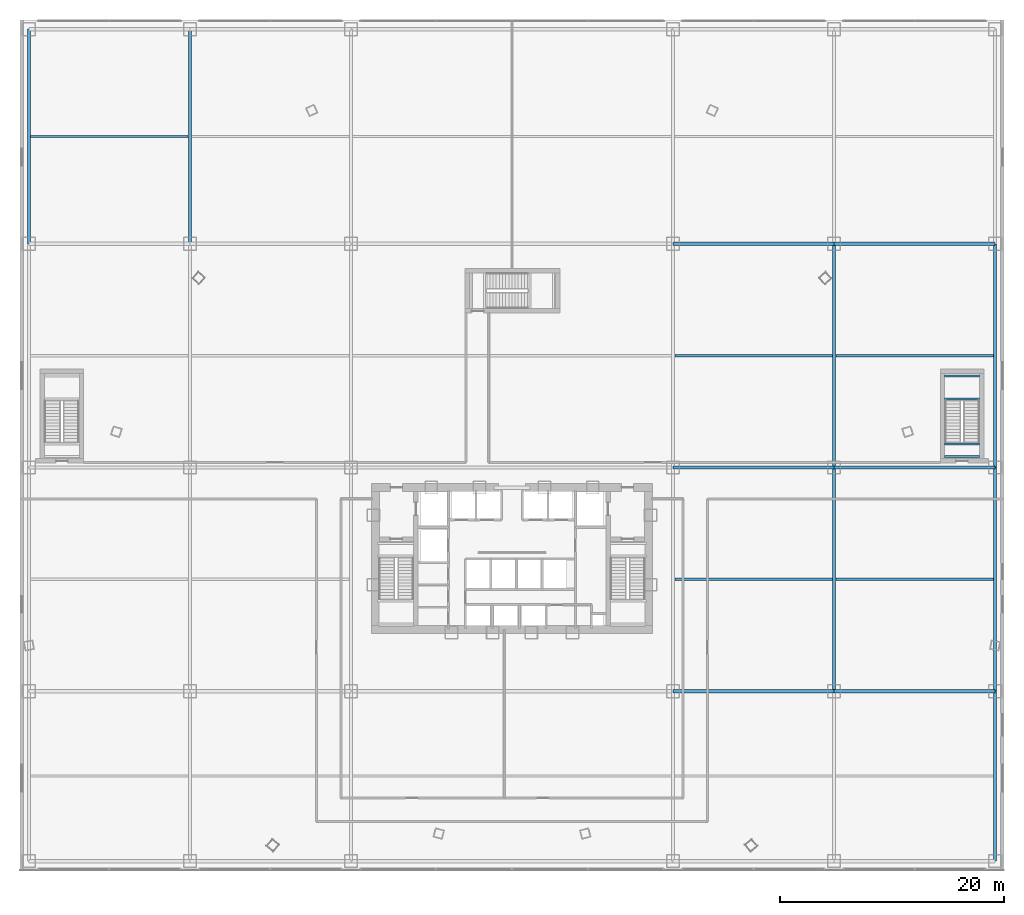
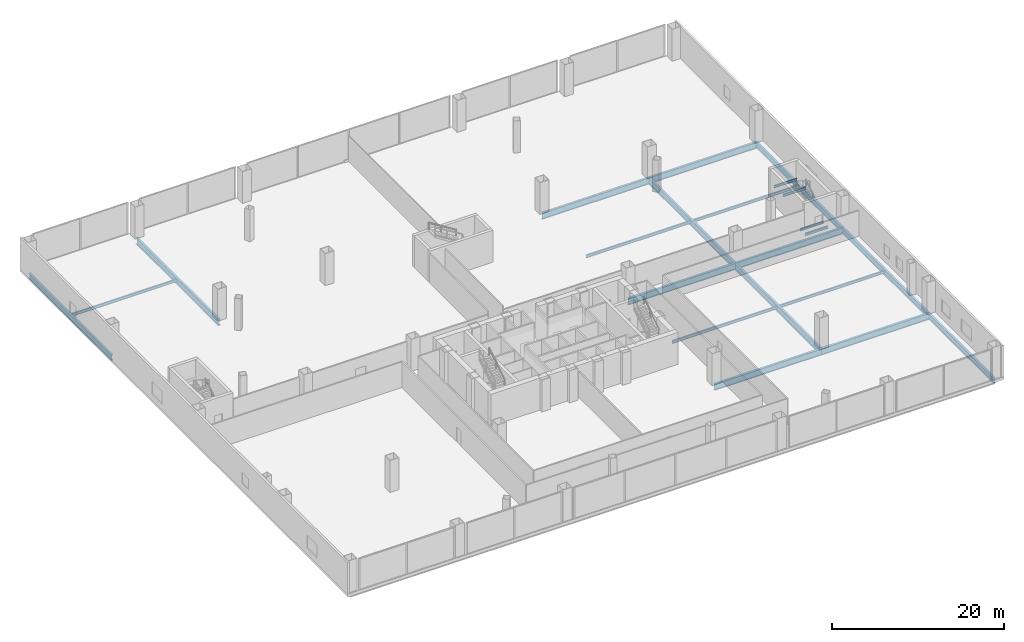
# One storey, part 17 of 40: 22 beams.
"""IFC4 building model written with IfcOpenShell, lengths in metres."""

from ifc_helpers import new_model, si_unit, direction, frame, origin, origin_2d, place, context, subcontext, project, spatial, i_section, extrude, source, transform, mapped, material, material_profile, profile_set, type_object, element, save


model = new_model("IFC4")

# Units and contexts
model_context = context("Model", 3, precision=1e-05, world=origin(), true_north=direction((0.0, 1.0)))
body_context = subcontext(model_context, "Body", "Model", "MODEL_VIEW")
ifc_project = project(units=[si_unit("LENGTHUNIT", "METRE"), si_unit("AREAUNIT", "SQUARE_METRE"), si_unit("VOLUMEUNIT", "CUBIC_METRE"), si_unit("PLANEANGLEUNIT", "RADIAN"), si_unit("MASSUNIT", "GRAM", prefix="KILO"), si_unit("THERMODYNAMICTEMPERATUREUNIT", "KELVIN"), si_unit("POWERUNIT", "WATT")], contexts=[model_context])

# Site, building, storey
site_placement = place(None, origin())
site = spatial("IfcSite", under=ifc_project, at=site_placement, CompositionType="ELEMENT")
building_placement = place(site_placement, origin())
building = spatial("IfcBuilding", under=site, at=building_placement, Name="Yunzhuo Pagoda Commons", CompositionType="ELEMENT")
storey_placement = place(building_placement, frame((0.0, 0.0, 14.39990234375)))
storey = spatial("IfcBuildingStorey", under=building, at=storey_placement, Name="L04", CompositionType="ELEMENT", Elevation=14.39990234375)

# Beams
ifc_material = material(Name="Structural steel Q355B", Category="steel")
ifc_material_profile_1 = material_profile(ifc_material, i_section(OverallWidth=0.175048828125, OverallDepth=0.35009765625, WebThickness=0.007080078125, FlangeThickness=0.010986328125, at=origin_2d()), Name="Structural steel Q355B")
ifc_profile_set_1 = profile_set([ifc_material_profile_1], Name="Structural steel Q355B")
beam_type_1 = type_object("IfcBeamType", Name="B-JS2 Joist HN 350x175x7x11", PredefinedType="JOIST", material=ifc_profile_set_1)
shared_shape_1 = source(origin(), body_context, "Body", "SweptSolid", [
    extrude(i_section(OverallWidth=0.175048828125, OverallDepth=0.35009765625, WebThickness=0.007080078125, FlangeThickness=0.010986328125, at=origin_2d()), origin(), (0.0, 0.0, 1.0), 3.10009765625),
])
for number, where, z_axis, x_axis, name in (
    (1, (86.699951171875, 48.139892578125, 2.025146484375), (1.0, 0.0, 0.0), (0.0, 1.0, 0.0), "L04 PS4 landing support beam 6A"),
    (2, (86.699951171875, 50.199951171875, 2.025146484375), (1.0, 0.0, 0.0), (0.0, 1.0, 0.0), "L04 PS4 landing support beam 6B"),
    (3, (86.699951171875, 43.0, -0.375), (1.0, 0.0, 0.0), (0.0, 1.0, 0.0), "L04 PS4 landing support beam 14A"),
    (4, (86.699951171875, 44.10009765625, -0.375), (1.0, 0.0, 0.0), (0.0, 1.0, 0.0), "L04 PS4 landing support beam 14B"),
):
    element("IfcBeam", number, at=place(storey_placement, frame(where, z_axis=z_axis, x_axis=x_axis)), inside=storey, type_object=beam_type_1, Name=name, PredefinedType="JOIST", context=body_context, shape_type="MappedRepresentation", body=[
        mapped(shared_shape_1, transform((0.0, 0.0, 0.0), scale=1.0)),
    ])
ifc_material_profile_2 = material_profile(ifc_material, i_section(OverallWidth=0.300048828125, OverallDepth=0.89990234375, WebThickness=0.01611328125, FlangeThickness=0.028076171875, at=origin_2d()), Name="Structural steel Q355B")
ifc_profile_set_2 = profile_set([ifc_material_profile_2], Name="Structural steel Q355B")
beam_type_2 = type_object("IfcBeamType", Name="B-PD1 Beam HN 900x300x16x28", PredefinedType="BEAM", material=ifc_profile_set_2)
shared_shape_2 = source(origin(), body_context, "Body", "SweptSolid", [
    extrude(i_section(OverallWidth=0.300048828125, OverallDepth=0.89990234375, WebThickness=0.01611328125, FlangeThickness=0.028076171875, at=origin_2d()), origin(), (0.0, 0.0, 1.0), 14.39990234375),
])
for number, where, z_axis, x_axis, name in (
    (5, (76.800048828125, 22.0, -0.72998046875), (1.0, 0.0, 0.0), (0.0, 1.0, 0.0), "L04 podium girder EW 2.5"),
    (6, (76.800048828125, 42.0, -0.72998046875), (1.0, 0.0, 0.0), (0.0, 1.0, 0.0), "L04 podium girder EW 3.5"),
    (7, (76.800048828125, 62.0, -0.72998046875), (1.0, 0.0, 0.0), (0.0, 1.0, 0.0), "L04 podium girder EW 4.5"),
):
    element("IfcBeam", number, at=place(storey_placement, frame(where, z_axis=z_axis, x_axis=x_axis)), inside=storey, type_object=beam_type_2, Name=name, PredefinedType="BEAM", context=body_context, shape_type="MappedRepresentation", body=[
        mapped(shared_shape_2, transform((0.0, 0.0, 0.0), scale=1.0)),
    ])
shared_shape_3 = source(origin(), body_context, "Body", "SweptSolid", [
    extrude(i_section(OverallWidth=0.300048828125, OverallDepth=0.89990234375, WebThickness=0.01611328125, FlangeThickness=0.028076171875, at=origin_2d()), origin(), (0.0, 0.0, 1.0), 14.400146484375),
])
for number, where, z_axis, x_axis, name in (
    (8, (62.39990234375, 22.0, -0.72998046875), (1.0, 0.0, 0.0), (0.0, 1.0, 0.0), "L04 podium girder EW 2.4"),
    (9, (62.39990234375, 42.0, -0.72998046875), (1.0, 0.0, 0.0), (0.0, 1.0, 0.0), "L04 podium girder EW 3.4"),
    (10, (62.39990234375, 62.0, -0.72998046875), (1.0, 0.0, 0.0), (0.0, 1.0, 0.0), "L04 podium girder EW 4.4"),
):
    element("IfcBeam", number, at=place(storey_placement, frame(where, z_axis=z_axis, x_axis=x_axis)), inside=storey, type_object=beam_type_2, Name=name, PredefinedType="BEAM", context=body_context, shape_type="MappedRepresentation", body=[
        mapped(shared_shape_3, transform((0.0, 0.0, 0.0), scale=1.0)),
    ])
ifc_material_profile_3 = material_profile(ifc_material, i_section(OverallWidth=0.300048828125, OverallDepth=0.800048828125, WebThickness=0.013916015625, FlangeThickness=0.02587890625, at=origin_2d()), Name="Structural steel Q355B")
ifc_profile_set_3 = profile_set([ifc_material_profile_3], Name="Structural steel Q355B")
beam_type_3 = type_object("IfcBeamType", Name="B-PD2 Beam HN 800x300x14x26", PredefinedType="BEAM", material=ifc_profile_set_3)
shared_shape_4 = source(origin(), body_context, "Body", "SweptSolid", [
    extrude(i_section(OverallWidth=0.300048828125, OverallDepth=0.800048828125, WebThickness=0.013916015625, FlangeThickness=0.02587890625, at=origin_2d()), origin(), (0.0, 0.0, 1.0), 15.199951171875),
])
beam_1_placement = place(storey_placement, frame((91.199951171875, 6.800048828125, -0.679931640625), z_axis=(0.0, 1.0, 0.0), x_axis=(-1.0, 0.0, 0.0)))
element("IfcBeam", 11, at=beam_1_placement, inside=storey, type_object=beam_type_3, Name="L04 podium girder NS 6.1", PredefinedType="BEAM", context=body_context, shape_type="MappedRepresentation", body=[
    mapped(shared_shape_4, transform((0.0, 0.0, 0.0), scale=1.0)),
])
ifc_material_profile_4 = material_profile(ifc_material, i_section(OverallWidth=0.199951171875, OverallDepth=0.39990234375, WebThickness=0.008056640625, FlangeThickness=0.012939453125, at=origin_2d()), Name="Structural steel Q355B")
ifc_profile_set_4 = profile_set([ifc_material_profile_4], Name="Structural steel Q355B")
beam_type_4 = type_object("IfcBeamType", Name="B-JS1 Joist HN 400x200x8x13", PredefinedType="JOIST", material=ifc_profile_set_4)
shared_shape_5 = source(origin(), body_context, "Body", "SweptSolid", [
    extrude(i_section(OverallWidth=0.199951171875, OverallDepth=0.39990234375, WebThickness=0.008056640625, FlangeThickness=0.012939453125, at=origin_2d()), origin(), (0.0, 0.0, 1.0), 14.08984375),
])
for number, where, z_axis, x_axis, name in (
    (12, (4.955078125, 71.60009765625, -0.47998046875), (1.0, 0.0, 0.0), (0.0, 1.0, 0.0), "L04 podium composite joist 1.4"),
    (13, (76.955078125, 32.0, -0.47998046875), (1.0, 0.0, 0.0), (0.0, 1.0, 0.0), "L04 podium composite joist 5.2"),
    (14, (76.955078125, 52.0, -0.47998046875), (1.0, 0.0, 0.0), (0.0, 1.0, 0.0), "L04 podium composite joist 5.3"),
):
    element("IfcBeam", number, at=place(storey_placement, frame(where, z_axis=z_axis, x_axis=x_axis)), inside=storey, type_object=beam_type_4, Name=name, PredefinedType="JOIST", context=body_context, shape_type="MappedRepresentation", body=[
        mapped(shared_shape_5, transform((0.0, 0.0, 0.0), scale=1.0)),
    ])
shared_shape_6 = source(origin(), body_context, "Body", "SweptSolid", [
    extrude(i_section(OverallWidth=0.300048828125, OverallDepth=0.800048828125, WebThickness=0.013916015625, FlangeThickness=0.02587890625, at=origin_2d()), origin(), (0.0, 0.0, 1.0), 20.0),
])
for number, where, z_axis, x_axis, name in (
    (15, (91.199951171875, 22.0, -0.679931640625), (0.0, 1.0, 0.0), (-1.0, 0.0, 0.0), "L04 podium girder NS 6.2"),
    (16, (91.199951171875, 42.0, -0.679931640625), (0.0, 1.0, 0.0), (-1.0, 0.0, 0.0), "L04 podium girder NS 6.3"),
):
    element("IfcBeam", number, at=place(storey_placement, frame(where, z_axis=z_axis, x_axis=x_axis)), inside=storey, type_object=beam_type_3, Name=name, PredefinedType="BEAM", context=body_context, shape_type="MappedRepresentation", body=[
        mapped(shared_shape_6, transform((0.0, 0.0, 0.0), scale=1.0)),
    ])
shared_shape_7 = source(origin(), body_context, "Body", "SweptSolid", [
    extrude(i_section(OverallWidth=0.300048828125, OverallDepth=0.800048828125, WebThickness=0.013916015625, FlangeThickness=0.02587890625, at=origin_2d()), origin(), (0.0, 0.0, 1.0), 19.199951171875),
])
beam_2_placement = place(storey_placement, frame((4.800048828125, 62.0, -0.679931640625), z_axis=(0.0, 1.0, 0.0), x_axis=(-1.0, 0.0, 0.0)))
element("IfcBeam", 17, at=beam_2_placement, inside=storey, type_object=beam_type_3, Name="L04 podium girder NS 1.4", PredefinedType="BEAM", context=body_context, shape_type="MappedRepresentation", body=[
    mapped(shared_shape_7, transform((0.0, 0.0, 0.0), scale=1.0)),
])
shared_shape_8 = source(origin(), body_context, "Body", "SweptSolid", [
    extrude(i_section(OverallWidth=0.300048828125, OverallDepth=0.89990234375, WebThickness=0.01611328125, FlangeThickness=0.028076171875, at=origin_2d()), origin(), (0.0, 0.0, 1.0), 20.0),
])
for number, where, z_axis, x_axis, name in (
    (18, (76.800048828125, 22.0, -0.72998046875), (0.0, 1.0, 0.0), (-1.0, 0.0, 0.0), "L04 podium girder NS 5.2"),
    (19, (76.800048828125, 42.0, -0.72998046875), (0.0, 1.0, 0.0), (-1.0, 0.0, 0.0), "L04 podium girder NS 5.3"),
):
    element("IfcBeam", number, at=place(storey_placement, frame(where, z_axis=z_axis, x_axis=x_axis)), inside=storey, type_object=beam_type_2, Name=name, PredefinedType="BEAM", context=body_context, shape_type="MappedRepresentation", body=[
        mapped(shared_shape_8, transform((0.0, 0.0, 0.0), scale=1.0)),
    ])
shared_shape_9 = source(origin(), body_context, "Body", "SweptSolid", [
    extrude(i_section(OverallWidth=0.300048828125, OverallDepth=0.89990234375, WebThickness=0.01611328125, FlangeThickness=0.028076171875, at=origin_2d()), origin(), (0.0, 0.0, 1.0), 19.199951171875),
])
beam_3_placement = place(storey_placement, frame((19.199951171875, 62.0, -0.72998046875), z_axis=(0.0, 1.0, 0.0), x_axis=(-1.0, 0.0, 0.0)))
element("IfcBeam", 20, at=beam_3_placement, inside=storey, type_object=beam_type_2, Name="L04 podium girder NS 2.4", PredefinedType="BEAM", context=body_context, shape_type="MappedRepresentation", body=[
    mapped(shared_shape_9, transform((0.0, 0.0, 0.0), scale=1.0)),
])
shared_shape_10 = source(origin(), body_context, "Body", "SweptSolid", [
    extrude(i_section(OverallWidth=0.199951171875, OverallDepth=0.39990234375, WebThickness=0.008056640625, FlangeThickness=0.012939453125, at=origin_2d()), origin(), (0.0, 0.0, 1.0), 14.09033203125),
])
for number, where, z_axis, x_axis, name in (
    (21, (62.554931640625, 32.0, -0.47998046875), (1.0, 0.0, 0.0), (0.0, 1.0, 0.0), "L04 podium composite joist 4.2"),
    (22, (62.554931640625, 52.0, -0.47998046875), (1.0, 0.0, 0.0), (0.0, 1.0, 0.0), "L04 podium composite joist 4.3"),
):
    element("IfcBeam", number, at=place(storey_placement, frame(where, z_axis=z_axis, x_axis=x_axis)), inside=storey, type_object=beam_type_4, Name=name, PredefinedType="JOIST", context=body_context, shape_type="MappedRepresentation", body=[
        mapped(shared_shape_10, transform((0.0, 0.0, 0.0), scale=1.0)),
    ])

save(model, "model.ifc")
